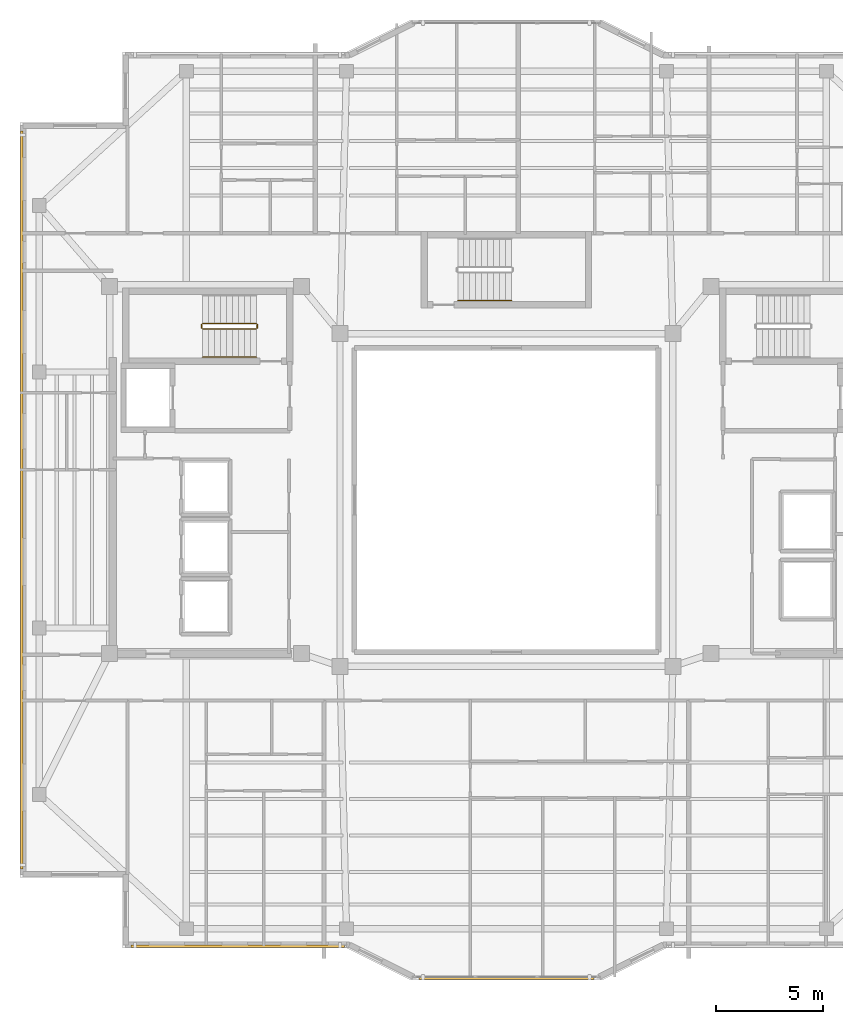
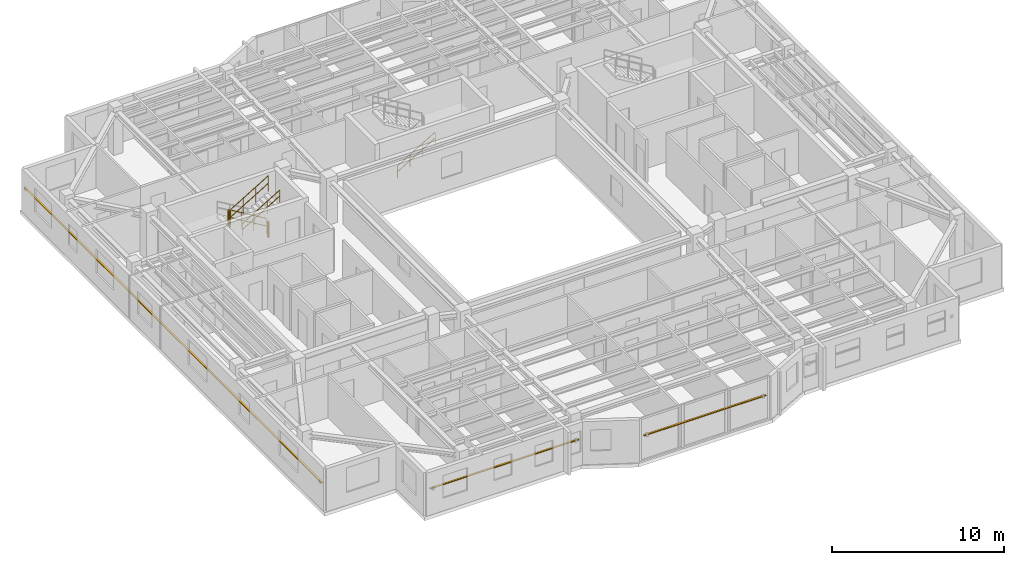
# One storey, part 13 of 15: 6 railings, 3 shading devices.
"""IFC4 building model written with IfcOpenShell, lengths in metres."""

from ifc_helpers import new_model, si_unit, direction, frame, origin, origin_2d, place, context, subcontext, project, spatial, rectangle, circle, extrude, material, material_profile, profile_set, type_object, element, save


model = new_model("IFC4")

# Units and contexts
model_context = context("Model", 3, precision=1e-05, world=origin(), true_north=direction((0.0, 1.0)))
body_context = subcontext(model_context, "Body", "Model", "MODEL_VIEW")
ifc_project = project(units=[si_unit("LENGTHUNIT", "METRE"), si_unit("AREAUNIT", "SQUARE_METRE"), si_unit("VOLUMEUNIT", "CUBIC_METRE"), si_unit("PLANEANGLEUNIT", "RADIAN"), si_unit("MASSUNIT", "GRAM", prefix="KILO")], contexts=[model_context])

# Site, building, storey
site_placement = place(None, origin())
site = spatial("IfcSite", under=ifc_project, at=site_placement, CompositionType="ELEMENT")
building_placement = place(site_placement, origin())
building = spatial("IfcBuilding", under=site, at=building_placement, Name="Tarnavaz Court Tower", CompositionType="ELEMENT")
storey_placement = place(building_placement, frame((0.0, 0.0, 268.300048828125)))
storey = spatial("IfcBuildingStorey", under=building, at=storey_placement, Name="L73", CompositionType="ELEMENT", Elevation=268.300048828125)

# Railings
ifc_material_1 = material(Name="Brushed Stainless Steel", Category="steel")
railing_type_1 = type_object("IfcRailingType", Name="RL-HANDRAIL-900", PredefinedType="HANDRAIL", material=ifc_material_1)
railing_1_placement = place(storey_placement, frame((-14.239990234375, 6.699951171875, 1.842529296875)))
element("IfcRailing", 1, at=railing_1_placement, inside=storey, type_object=railing_type_1, Name="L73 ST-W1 stair handrail 2", PredefinedType="HANDRAIL", context=body_context, shape_type="SweptSolid", body=[
    extrude(circle(Radius=0.02392578125, at=origin_2d()), frame((0.0, 0.0, 0.8759765625), z_axis=(0.858196387827, 0.0, 0.513321497621), x_axis=(0.0, 1.0, 0.0)), (0.0, 0.0, 1.0), 2.9365234375),
    extrude(circle(Radius=0.02392578125, at=origin_2d()), frame((0.0, 0.0, 0.449951171875), z_axis=(0.858196387827, 0.0, 0.513321497621), x_axis=(0.0, 1.0, 0.0)), (0.0, 0.0, 1.0), 2.9365234375),
    extrude(circle(Radius=0.02099609375, at=origin_2d()), origin(), (0.0, 0.0, 1.0), 0.851806640625),
    extrude(circle(Radius=0.02099609375, at=origin_2d()), frame((0.840087890625, 0.0, 0.50244140625)), (0.0, 0.0, 1.0), 0.851806640625),
    extrude(circle(Radius=0.02099609375, at=origin_2d()), frame((1.679931640625, 0.0, 1.0048828125)), (0.0, 0.0, 1.0), 0.851806640625),
    extrude(circle(Radius=0.02099609375, at=origin_2d()), frame((2.52001953125, 0.0, 1.50732421875)), (0.0, 0.0, 1.0), 0.851806640625),
])
railing_2_placement = place(storey_placement, frame((-2.280029296875, 9.35009765625, 0.16748046875)))
element("IfcRailing", 2, at=railing_2_placement, inside=storey, type_object=railing_type_1, Name="L73 ST-N1 stair handrail 1", PredefinedType="HANDRAIL", context=body_context, shape_type="SweptSolid", body=[
    extrude(circle(Radius=0.02392578125, at=origin_2d()), frame((0.0, 0.0, 0.8759765625), z_axis=(0.858159760407, 0.0, 0.513382728203), x_axis=(0.0, 1.0, 0.0)), (0.0, 0.0, 1.0), 2.9365234375),
    extrude(circle(Radius=0.02392578125, at=origin_2d()), frame((0.0, 0.0, 0.449951171875), z_axis=(0.858159760407, 0.0, 0.513382728203), x_axis=(0.0, 1.0, 0.0)), (0.0, 0.0, 1.0), 2.9365234375),
    extrude(circle(Radius=0.02099609375, at=origin_2d()), origin(), (0.0, 0.0, 1.0), 0.851806640625),
    extrude(circle(Radius=0.02099609375, at=origin_2d()), frame((0.840087890625, 0.0, 0.50244140625)), (0.0, 0.0, 1.0), 0.851806640625),
    extrude(circle(Radius=0.02099609375, at=origin_2d()), frame((1.679931640625, 0.0, 1.005126953125)), (0.0, 0.0, 1.0), 0.851806640625),
    extrude(circle(Radius=0.02099609375, at=origin_2d()), frame((2.52001953125, 0.0, 1.507568359375)), (0.0, 0.0, 1.0), 0.851806640625),
])
ifc_material_2 = material(Name="Galvanized Painted Tubular Steel", Category="steel")
railing_type_2 = type_object("IfcRailingType", Name="RL-STGUARD-1120", PredefinedType="GUARDRAIL", material=ifc_material_2)
railing_3_placement = place(storey_placement, frame((-11.719970703125, 8.27001953125, 0.16748046875)))
element("IfcRailing", 3, at=railing_3_placement, inside=storey, type_object=railing_type_2, Name="L73 ST-W1 stair guard 1", PredefinedType="GUARDRAIL", context=body_context, shape_type="SweptSolid", body=[
    extrude(circle(Radius=0.02392578125, at=origin_2d()), frame((0.0, 0.0, 1.09619140625), z_axis=(-0.858159760407, 0.0, 0.513382728203), x_axis=(0.0, -1.0, 0.0)), (0.0, 0.0, 1.0), 2.9365234375),
    extrude(circle(Radius=0.02392578125, at=origin_2d()), frame((0.0, 0.0, 0.56005859375), z_axis=(-0.858159760407, 0.0, 0.513382728203), x_axis=(0.0, -1.0, 0.0)), (0.0, 0.0, 1.0), 2.9365234375),
    extrude(circle(Radius=0.02099609375, at=origin_2d()), origin(), (0.0, 0.0, 1.0), 1.072021484375),
    extrude(circle(Radius=0.02099609375, at=origin_2d()), frame((-0.840087890625, 0.0, 0.50244140625)), (0.0, 0.0, 1.0), 1.072021484375),
    extrude(circle(Radius=0.02099609375, at=origin_2d()), frame((-1.679931640625, 0.0, 1.005126953125)), (0.0, 0.0, 1.0), 1.072021484375),
    extrude(circle(Radius=0.02099609375, at=origin_2d()), frame((-2.52001953125, 0.0, 1.507568359375)), (0.0, 0.0, 1.0), 1.072021484375),
])
railing_4_placement = place(storey_placement, frame((-14.2900390625, 8.219970703125, 1.675048828125)))
element("IfcRailing", 4, at=railing_4_placement, inside=storey, type_object=railing_type_2, Name="L73 ST-W1 stair guard 2", PredefinedType="GUARDRAIL", context=body_context, shape_type="SweptSolid", body=[
    extrude(circle(Radius=0.02392578125, at=origin_2d()), frame((0.0, 0.0, 1.09619140625), z_axis=(0.0, -1.0, 0.0), x_axis=(1.0, 0.0, 0.0)), (0.0, 0.0, 1.0), 0.14990234375),
    extrude(circle(Radius=0.02392578125, at=origin_2d()), frame((0.0, 0.0, 0.56005859375), z_axis=(0.0, -1.0, 0.0), x_axis=(1.0, 0.0, 0.0)), (0.0, 0.0, 1.0), 0.14990234375),
    extrude(circle(Radius=0.02099609375, at=origin_2d()), origin(), (0.0, 0.0, 1.0), 1.072021484375),
    extrude(circle(Radius=0.02099609375, at=origin_2d()), frame((0.0, -0.14990234375, 0.0)), (0.0, 0.0, 1.0), 1.072021484375),
])
railing_5_placement = place(storey_placement, frame((-14.239990234375, 8.02001953125, 1.842529296875)))
element("IfcRailing", 5, at=railing_5_placement, inside=storey, type_object=railing_type_2, Name="L73 ST-W1 stair guard 3", PredefinedType="GUARDRAIL", context=body_context, shape_type="SweptSolid", body=[
    extrude(circle(Radius=0.02392578125, at=origin_2d()), frame((0.0, 0.0, 1.09619140625), z_axis=(0.858196387827, 0.0, 0.513321497621), x_axis=(0.0, 1.0, 0.0)), (0.0, 0.0, 1.0), 2.9365234375),
    extrude(circle(Radius=0.02392578125, at=origin_2d()), frame((0.0, 0.0, 0.56005859375), z_axis=(0.858196387827, 0.0, 0.513321497621), x_axis=(0.0, 1.0, 0.0)), (0.0, 0.0, 1.0), 2.9365234375),
    extrude(circle(Radius=0.02099609375, at=origin_2d()), origin(), (0.0, 0.0, 1.0), 1.072021484375),
    extrude(circle(Radius=0.02099609375, at=origin_2d()), frame((0.840087890625, 0.0, 0.50244140625)), (0.0, 0.0, 1.0), 1.072021484375),
    extrude(circle(Radius=0.02099609375, at=origin_2d()), frame((1.679931640625, 0.0, 1.0048828125)), (0.0, 0.0, 1.0), 1.072021484375),
    extrude(circle(Radius=0.02099609375, at=origin_2d()), frame((2.52001953125, 0.0, 1.50732421875)), (0.0, 0.0, 1.0), 1.072021484375),
])
railing_6_placement = place(storey_placement, frame((-11.669921875, 8.219970703125, 0.0)))
element("IfcRailing", 6, at=railing_6_placement, inside=storey, type_object=railing_type_2, Name="L73 ST-W1 stair guard 4", PredefinedType="GUARDRAIL", context=body_context, shape_type="SweptSolid", body=[
    extrude(circle(Radius=0.02392578125, at=origin_2d()), frame((0.0, 0.0, 1.09619140625), z_axis=(0.0, -1.0, 0.0), x_axis=(1.0, 0.0, 0.0)), (0.0, 0.0, 1.0), 0.14990234375),
    extrude(circle(Radius=0.02392578125, at=origin_2d()), frame((0.0, 0.0, 0.56005859375), z_axis=(0.0, -1.0, 0.0), x_axis=(1.0, 0.0, 0.0)), (0.0, 0.0, 1.0), 0.14990234375),
    extrude(circle(Radius=0.02099609375, at=origin_2d()), origin(), (0.0, 0.0, 1.0), 1.072021484375),
    extrude(circle(Radius=0.02099609375, at=origin_2d()), frame((0.0, -0.14990234375, 0.0)), (0.0, 0.0, 1.0), 1.072021484375),
])

# Shading devices
ifc_material_3 = material(Name="Kiln-Fired Khorasan Terracotta Ceramic", Category="masonry")
ifc_material_profile = material_profile(ifc_material_3, rectangle(XDim=0.1201171875, YDim=0.06005859375, at=origin_2d()), Name="TC BAGUETTE 120X60")
ifc_profile_set = profile_set([ifc_material_profile], Name="Kiln-Fired Khorasan Terracotta Ceramic")
shading_device_type = type_object("IfcShadingDeviceType", Name="SD-BAG-120", PredefinedType="USERDEFINED", material=ifc_profile_set)
shading_device_1_placement = place(storey_placement, frame((-22.7099609375, -17.300048828125, 1.849853515625), z_axis=(0.0, 1.0, 0.0), x_axis=(-1.0, 0.0, 0.0)))
element("IfcShadingDevice", 7, at=shading_device_1_placement, inside=storey, type_object=shading_device_type, Name="L73 Terracotta Baguette Screen FBG02", ObjectType="BAGUETTE", PredefinedType="USERDEFINED", context=body_context, shape_type="SweptSolid", body=[
    extrude(rectangle(XDim=0.1201171875, YDim=0.06005859375, at=origin_2d()), origin(), (0.0, 0.0, 1.0), 34.60009765625),
])
shading_device_2_placement = place(storey_placement, frame((4.10009765625, -22.409912109375, 1.800048828125), z_axis=(-1.0, 0.0, 0.0), x_axis=(0.0, -1.0, 0.0)))
element("IfcShadingDevice", 8, at=shading_device_2_placement, inside=storey, type_object=shading_device_type, Name="L73 Terracotta Baguette Screen PBG17", ObjectType="BAGUETTE", PredefinedType="USERDEFINED", context=body_context, shape_type="SweptSolid", body=[
    extrude(rectangle(XDim=0.1201171875, YDim=0.06005859375, at=origin_2d()), origin(), (0.0, 0.0, 1.0), 8.2001953125),
])
shading_device_3_placement = place(storey_placement, frame((-7.60009765625, -20.909912109375, 1.849853515625), z_axis=(-1.0, 0.0, 0.0), x_axis=(0.0, -1.0, 0.0)))
element("IfcShadingDevice", 9, at=shading_device_3_placement, inside=storey, type_object=shading_device_type, Name="L73 Terracotta Baguette Screen FBG19", ObjectType="BAGUETTE", PredefinedType="USERDEFINED", context=body_context, shape_type="SweptSolid", body=[
    extrude(rectangle(XDim=0.1201171875, YDim=0.06005859375, at=origin_2d()), origin(), (0.0, 0.0, 1.0), 10.0),
])

save(model, "model.ifc")
